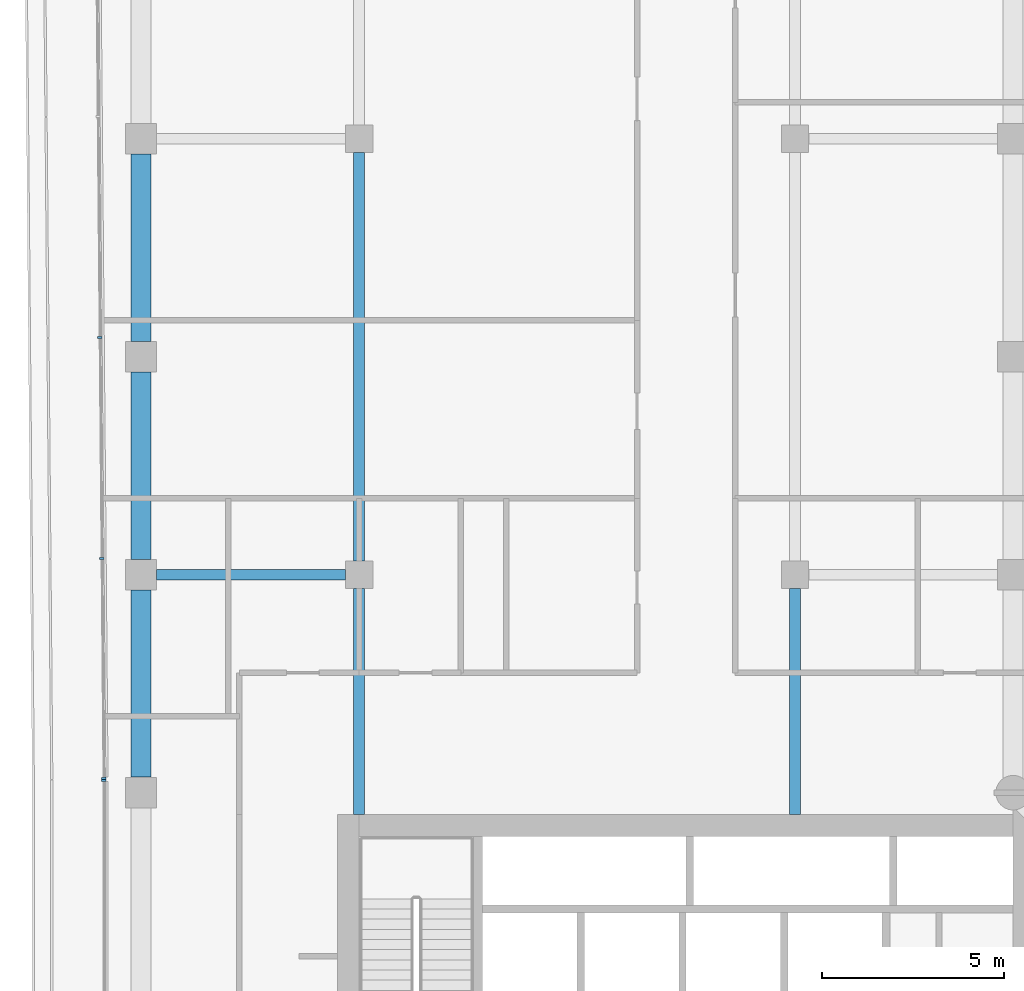
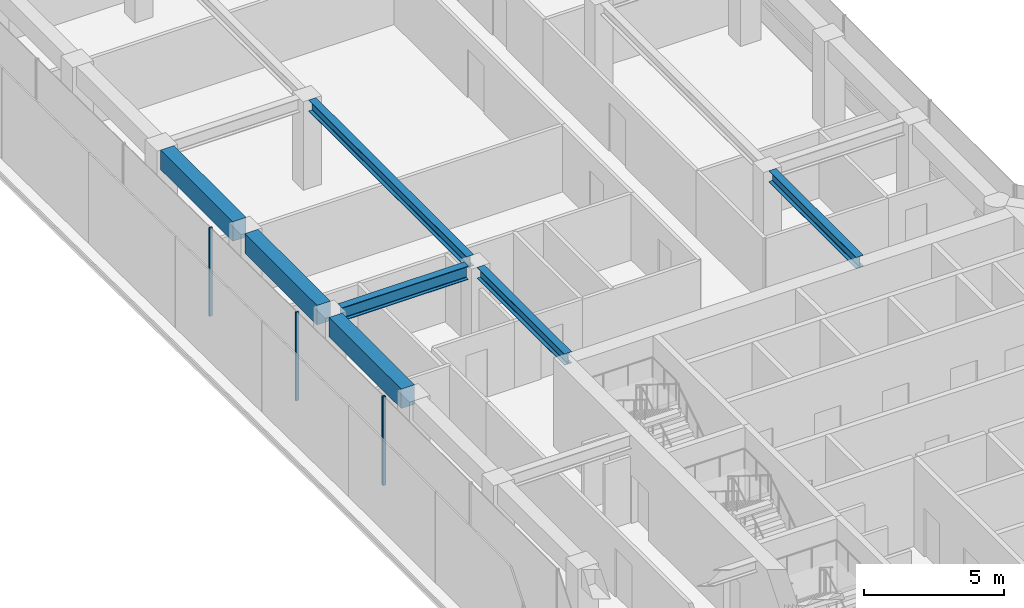
# One storey, part 7 of 19: 7 beams, 4 members, 2 elements without a shape of their own.
"""IFC4 building model written with IfcOpenShell, lengths in metres."""

from ifc_helpers import new_model, si_unit, direction, frame, origin, origin_2d, place, context, subcontext, project, spatial, rectangle, i_section, extrude, material, layer, layer_set, material_profile, profile_set, type_object, element, aggregate, save


model = new_model("IFC4")

# Units and contexts
model_context = context("Model", 3, precision=1e-05, world=origin(), true_north=direction((0.0, 1.0)))
body_context = subcontext(model_context, "Body", "Model", "MODEL_VIEW")
ifc_project = project(units=[si_unit("LENGTHUNIT", "METRE"), si_unit("AREAUNIT", "SQUARE_METRE"), si_unit("VOLUMEUNIT", "CUBIC_METRE"), si_unit("PLANEANGLEUNIT", "RADIAN"), si_unit("MASSUNIT", "GRAM", prefix="KILO")], contexts=[model_context])

# Site, building, storey
site_placement = place(None, origin())
site = spatial("IfcSite", under=ifc_project, at=site_placement, CompositionType="ELEMENT")
building_placement = place(site_placement, origin())
building = spatial("IfcBuilding", under=site, at=building_placement, Name="Welwitschia Terrace Campus", CompositionType="ELEMENT")
storey_placement = place(building_placement, frame((0.0, 0.0, 171.800048828125)))
storey = spatial("IfcBuildingStorey", under=building, at=storey_placement, Name="L38", CompositionType="ELEMENT", Elevation=171.800048828125)

# Beams
ifc_material_1 = material(Name="Steel S355", Category="steel")
ifc_material_profile_1 = material_profile(ifc_material_1, i_section(OverallWidth=0.300048828125, OverallDepth=0.489990234375, WebThickness=0.011962890625, FlangeThickness=0.02294921875, FilletRadius=0.027099609375, at=origin_2d()))
ifc_profile_set_1 = profile_set([ifc_material_profile_1], Name="Steel S355")
beam_type_1 = type_object("IfcBeamType", Name="Interior girder HE 500 A", PredefinedType="BEAM", material=ifc_profile_set_1)
beam_1_placement = place(storey_placement, frame((6.0, 25.40087890625, 3.60498046875), z_axis=(0.0, 1.0, 0.0), x_axis=(-1.0, 0.0, 0.0)))
element("IfcBeam", 1, at=beam_1_placement, inside=storey, type_object=beam_type_1, Name="Girder GB4", PredefinedType="BEAM", context=body_context, shape_type="SweptSolid", body=[
    extrude(i_section(OverallWidth=0.300048828125, OverallDepth=0.489990234375, WebThickness=0.011962890625, FlangeThickness=0.02294921875, FilletRadius=0.027099609375, at=origin_2d()), origin(), (0.0, 0.0, 1.0), 6.2236328125),
])
beam_2_placement = place(storey_placement, frame((6.0, 32.37548828125, 3.60498046875), z_axis=(0.0, 1.0, 0.0), x_axis=(-1.0, 0.0, 0.0)))
element("IfcBeam", 2, at=beam_2_placement, inside=storey, type_object=beam_type_1, Name="Girder GB4", PredefinedType="BEAM", context=body_context, shape_type="SweptSolid", body=[
    extrude(i_section(OverallWidth=0.300048828125, OverallDepth=0.489990234375, WebThickness=0.011962890625, FlangeThickness=0.02294921875, FilletRadius=0.027099609375, at=origin_2d()), origin(), (0.0, 0.0, 1.0), 11.2490234375),
])
beam_3_placement = place(storey_placement, frame((18.0, 25.40087890625, 3.60498046875), z_axis=(0.0, 1.0, 0.0), x_axis=(-1.0, 0.0, 0.0)))
element("IfcBeam", 3, at=beam_3_placement, inside=storey, type_object=beam_type_1, Name="Girder GB4", PredefinedType="BEAM", context=body_context, shape_type="SweptSolid", body=[
    extrude(i_section(OverallWidth=0.300048828125, OverallDepth=0.489990234375, WebThickness=0.011962890625, FlangeThickness=0.02294921875, FilletRadius=0.027099609375, at=origin_2d()), origin(), (0.0, 0.0, 1.0), 6.2236328125),
])

# Curtain wall, members
ifc_material_2 = material(Name="Bronze anodised aluminium", Category="aluminium")
ifc_layer = layer(ifc_material_2, 0.1201171875)
ifc_layer_set = layer_set([ifc_layer], Name="Bronze anodised aluminium")
curtain_wall_type = type_object("IfcCurtainWallType", Name="Curtain wall CW2 tower 6000", PredefinedType="NOTDEFINED", material=ifc_layer_set)
curtain_wall_1_placement = place(storey_placement, origin())
curtain_wall_1 = element("IfcCurtainWall", 4, at=curtain_wall_1_placement, inside=storey, type_object=curtain_wall_type, Name="CW L38.0.0", PredefinedType="NOTDEFINED")
ifc_material_3 = material(Name="Bronze anodised aluminium", Category="aluminium")
ifc_material_profile_2 = material_profile(ifc_material_3, rectangle(XDim=0.1201171875, YDim=0.06005859375, at=origin_2d()))
ifc_profile_set_2 = profile_set([ifc_material_profile_2], Name="Bronze anodised aluminium")
member_type = type_object("IfcMemberType", Name="Mullion 60x120", PredefinedType="MULLION", material=ifc_profile_set_2)
member_1_placement = place(storey_placement, frame((-1.13623046875, 38.5302734375, 0.0), z_axis=(0.0, 0.0, 1.0), x_axis=(0.999961923064, 0.008726535498, 0.0)))
member_1 = element("IfcMember", 5, at=member_1_placement, type_object=member_type, Name="Mullion L38.0.0.4", PredefinedType="MULLION", context=body_context, shape_type="SweptSolid", body=[
    extrude(rectangle(XDim=0.1201171875, YDim=0.06005859375, at=origin_2d()), origin(), (0.0, 0.0, 1.0), 3.849853515625),
])
member_2_placement = place(storey_placement, frame((-1.0830078125, 32.44775390625, 0.0), z_axis=(0.0, 0.0, 1.0), x_axis=(0.999961923064, 0.008726535498, 0.0)))
member_2 = element("IfcMember", 6, at=member_2_placement, type_object=member_type, Name="Mullion L38.0.0.5", PredefinedType="MULLION", context=body_context, shape_type="SweptSolid", body=[
    extrude(rectangle(XDim=0.1201171875, YDim=0.06005859375, at=origin_2d()), origin(), (0.0, 0.0, 1.0), 3.849853515625),
])
member_3_placement = place(storey_placement, frame((-1.0302734375, 26.395263671875, 0.0), z_axis=(0.0, 0.0, 1.0), x_axis=(0.999961923064, 0.008726535498, 0.0)))
member_3 = element("IfcMember", 7, at=member_3_placement, type_object=member_type, Name="Mullion L38.0.0.6", PredefinedType="MULLION", context=body_context, shape_type="SweptSolid", body=[
    extrude(rectangle(XDim=0.1201171875, YDim=0.06005859375, at=origin_2d()), origin(), (0.0, 0.0, 1.0), 3.849853515625),
])
aggregate(curtain_wall_1, [member_1, member_2, member_3])

# Curtain wall, member
curtain_wall_2_placement = place(storey_placement, origin())
curtain_wall_2 = element("IfcCurtainWall", 8, at=curtain_wall_2_placement, inside=storey, type_object=curtain_wall_type, Name="CW L38.1.0", PredefinedType="NOTDEFINED")
member_4_placement = place(storey_placement, frame((-1.030029296875, 26.335205078125, 0.0), z_axis=(0.0, 0.0, 1.0), x_axis=(1.0, 0.0, 0.0)))
member_4 = element("IfcMember", 9, at=member_4_placement, type_object=member_type, Name="Mullion L38.1.0.0", PredefinedType="MULLION", context=body_context, shape_type="SweptSolid", body=[
    extrude(rectangle(XDim=0.1201171875, YDim=0.06005859375, at=origin_2d()), origin(), (0.0, 0.0, 1.0), 3.849853515625),
])
aggregate(curtain_wall_2, [member_4])

# Beams
ifc_material_4 = material(Name="Steel S355", Category="steel")
ifc_material_profile_3 = material_profile(ifc_material_4, i_section(OverallWidth=0.300048828125, OverallDepth=0.590087890625, WebThickness=0.012939453125, FlangeThickness=0.02490234375, FilletRadius=0.027099609375, at=origin_2d()))
ifc_profile_set_3 = profile_set([ifc_material_profile_3], Name="Steel S355")
beam_type_2 = type_object("IfcBeamType", Name="Primary beam HE 600 A", PredefinedType="BEAM", material=ifc_profile_set_3)
beam_4_placement = place(storey_placement, frame((0.425537109375, 32.0, 3.554931640625), z_axis=(1.0, 0.0, 0.0), x_axis=(0.0, 1.0, 0.0)))
element("IfcBeam", 10, at=beam_4_placement, inside=storey, type_object=beam_type_2, Name="Primary beam PB4", PredefinedType="BEAM", context=body_context, shape_type="SweptSolid", body=[
    extrude(i_section(OverallWidth=0.300048828125, OverallDepth=0.590087890625, WebThickness=0.012939453125, FlangeThickness=0.02490234375, FilletRadius=0.027099609375, at=origin_2d()), origin(), (0.0, 0.0, 1.0), 5.198974609375),
])
ifc_material_5 = material(Name="Concrete C50/60", Category="concrete")
ifc_material_profile_4 = material_profile(ifc_material_5, rectangle(XDim=0.550048828125, YDim=0.85009765625, at=origin_2d()))
ifc_profile_set_4 = profile_set([ifc_material_profile_4], Name="Concrete C50/60")
beam_type_3 = type_object("IfcBeamType", Name="Ring spandrel 550x850", PredefinedType="SPANDREL", material=ifc_profile_set_4)
for number, where, z_axis, x_axis, name in (
    (11, (0.0, 43.574462890625, 3.425048828125), (0.0, -1.0, 0.0), (1.0, 0.0, 0.0), "Spandrel SP3"),
    (12, (0.0, 37.574462890625, 3.425048828125), (0.0, -1.0, 0.0), (1.0, 0.0, 0.0), "Spandrel SP3"),
    (13, (0.0, 31.574462890625, 3.425048828125), (0.0, -1.0, 0.0), (1.0, 0.0, 0.0), "Spandrel SP3"),
):
    element("IfcBeam", number, at=place(storey_placement, frame(where, z_axis=z_axis, x_axis=x_axis)), inside=storey, type_object=beam_type_3, Name=name, PredefinedType="SPANDREL", context=body_context, shape_type="SweptSolid", body=[
        extrude(rectangle(XDim=0.550048828125, YDim=0.85009765625, at=origin_2d()), origin(), (0.0, 0.0, 1.0), 5.14892578125),
    ])

save(model, "model.ifc")
